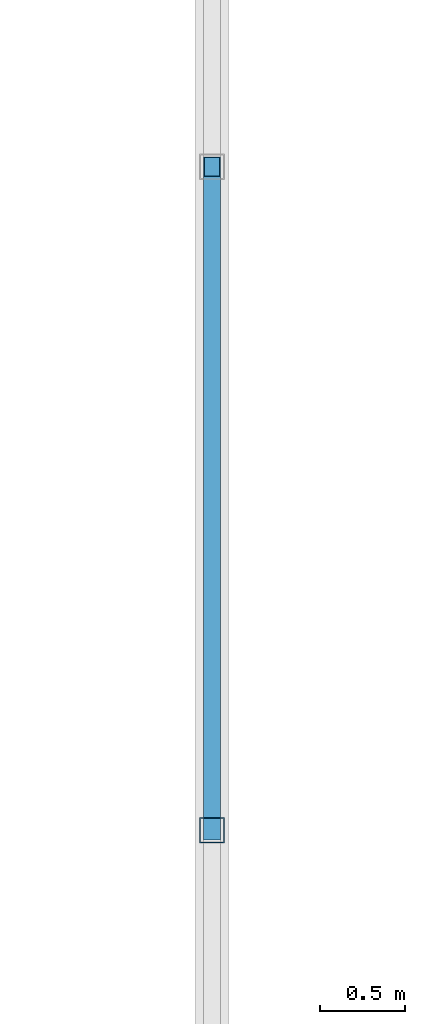
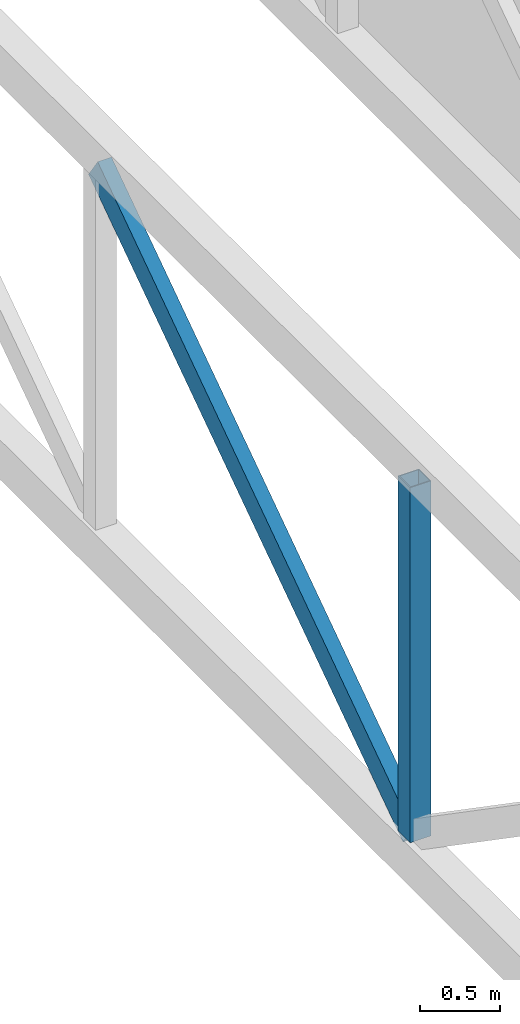
# One storey, part 11 of 33: 2 members.
"""IFC4 building model written with IfcOpenShell, lengths in metres."""

from ifc_helpers import new_model, si_unit, direction, frame, origin, origin_2d, place, context, subcontext, project, spatial, hollow_rectangle, extrude, material, material_profile, profile_set, type_object, element, save


model = new_model("IFC4")

# Units and contexts
model_context = context("Model", 3, precision=1e-05, world=origin(), true_north=direction((0.0, 1.0)))
body_context = subcontext(model_context, "Body", "Model", "MODEL_VIEW")
ifc_project = project(units=[si_unit("LENGTHUNIT", "METRE"), si_unit("AREAUNIT", "SQUARE_METRE"), si_unit("VOLUMEUNIT", "CUBIC_METRE"), si_unit("PLANEANGLEUNIT", "RADIAN"), si_unit("MASSUNIT", "GRAM", prefix="KILO")], contexts=[model_context])

# Site, building, storey
site_placement = place(None, origin())
site = spatial("IfcSite", under=ifc_project, at=site_placement, CompositionType="ELEMENT")
building_placement = place(site_placement, origin())
building = spatial("IfcBuilding", under=site, at=building_placement, Name="Nakaniwa Court", CompositionType="ELEMENT")
storey_placement = place(building_placement, frame((0.0, 0.0, 19.800048828125)))
storey = spatial("IfcBuildingStorey", under=building, at=storey_placement, Name="L04", CompositionType="ELEMENT", Elevation=19.800048828125)

# Members
ifc_material = material(Name="Steel AS/NZS 1163 Grade C350L0", Category="steel")
ifc_material_profile_1 = material_profile(ifc_material, hollow_rectangle(XDim=0.10009765625, YDim=0.199951171875, WallThickness=0.006103515625, at=origin_2d()), Name="RHS 200x100x6")
ifc_profile_set_1 = profile_set([ifc_material_profile_1], Name="Steel AS/NZS 1163 Grade C350L0")
member_type_1 = type_object("IfcMemberType", Name="Roof truss diagonal RHS 200x100x6", PredefinedType="BRACE", material=ifc_profile_set_1)
member_1_placement = place(storey_placement, frame((201.0, 80.0, 1.0), z_axis=(0.0, 0.823336002071, 0.567554250882), x_axis=(-1.0, 0.0, 0.0)))
element("IfcMember", 1, at=member_1_placement, inside=storey, type_object=member_type_1, Name="Roof truss S2 diagonal 4", PredefinedType="BRACE", context=body_context, shape_type="SweptSolid", body=[
    extrude(hollow_rectangle(XDim=0.10009765625, YDim=0.199951171875, WallThickness=0.006103515625, at=origin_2d()), origin(), (0.0, 0.0, 1.0), 4.757080078125),
])
ifc_material_profile_2 = material_profile(ifc_material, hollow_rectangle(XDim=0.14990234375, YDim=0.14990234375, WallThickness=0.006103515625, at=origin_2d()), Name="SHS 150x150x6")
ifc_profile_set_2 = profile_set([ifc_material_profile_2], Name="Steel AS/NZS 1163 Grade C350L0")
member_type_2 = type_object("IfcMemberType", Name="Roof truss post SHS 150x150x6", PredefinedType="STRUT", material=ifc_profile_set_2)
member_2_placement = place(storey_placement, frame((201.0, 80.0, 1.0), z_axis=(0.0, 0.0, 1.0), x_axis=(1.0, 0.0, 0.0)))
element("IfcMember", 2, at=member_2_placement, inside=storey, type_object=member_type_2, Name="Roof truss S2 post 4", PredefinedType="STRUT", context=body_context, shape_type="SweptSolid", body=[
    extrude(hollow_rectangle(XDim=0.14990234375, YDim=0.14990234375, WallThickness=0.006103515625, at=origin_2d()), origin(), (0.0, 0.0, 1.0), 2.699951171875),
])

save(model, "model.ifc")
